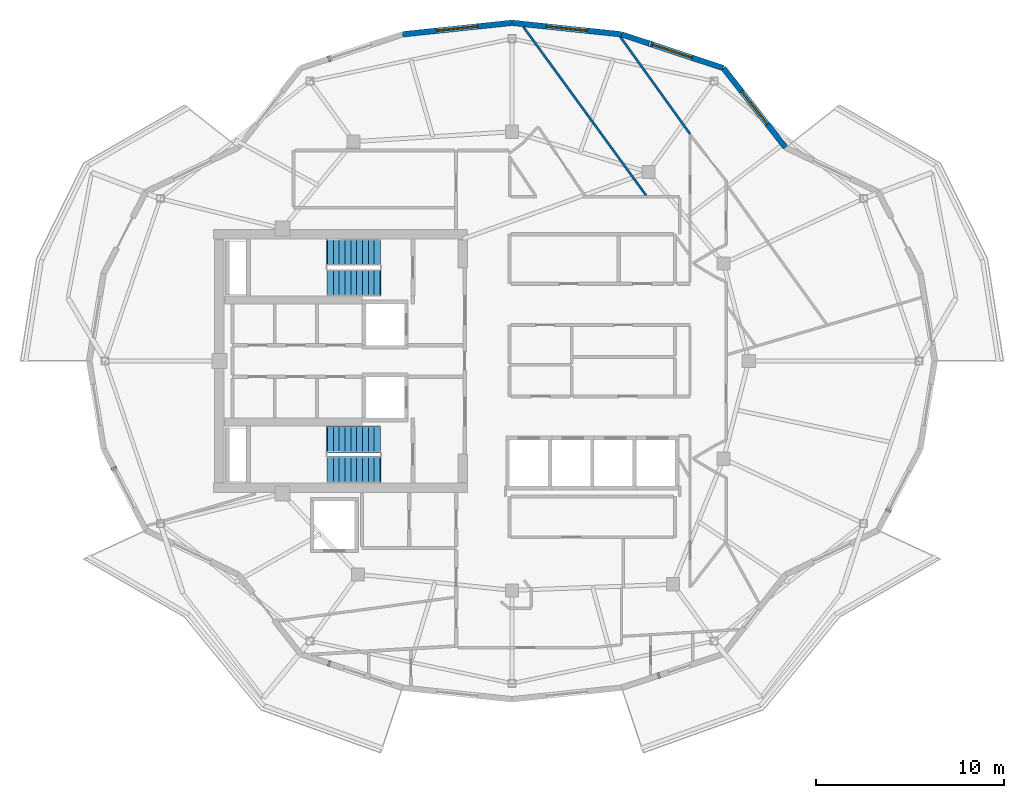
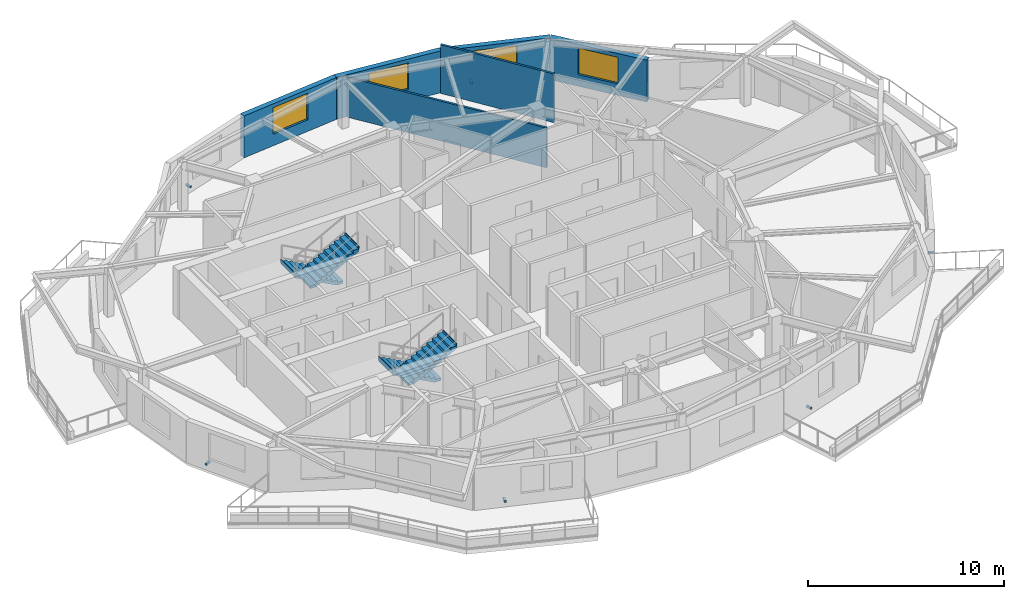
# One storey, part 8 of 11: 6 discrete accessories, 6 walls, 4 stair flights, 4 windows, 4 openings, 2 elements without a shape of their own.
"""IFC4 building model written with IfcOpenShell, lengths in metres."""

from ifc_helpers import new_model, si_unit, direction, frame, frame_2d, origin, origin_2d, place, context, subcontext, project, spatial, polyline, rectangle, outline, extrude, material, layer, layer_set, type_object, element, fill, aggregate, save


model = new_model("IFC4")

# Units and contexts
model_context = context("Model", 3, precision=1e-05, world=origin(), true_north=direction((0.0, 1.0)))
body_context = subcontext(model_context, "Body", "Model", "MODEL_VIEW")
ifc_project = project(units=[si_unit("LENGTHUNIT", "METRE"), si_unit("AREAUNIT", "SQUARE_METRE"), si_unit("VOLUMEUNIT", "CUBIC_METRE"), si_unit("PLANEANGLEUNIT", "RADIAN"), si_unit("MASSUNIT", "GRAM", prefix="KILO")], contexts=[model_context])

# Site, building, storey
site_placement = place(None, origin())
site = spatial("IfcSite", under=ifc_project, at=site_placement, CompositionType="ELEMENT")
building_placement = place(site_placement, origin())
building = spatial("IfcBuilding", under=site, at=building_placement, Name="Kolvaren Gate Tower and Convention Centre", CompositionType="ELEMENT")
storey_placement = place(building_placement, frame((0.0, 0.0, 242.60009765625)))
storey = spatial("IfcBuildingStorey", under=building, at=storey_placement, Name="L65", CompositionType="ELEMENT", Elevation=242.60009765625)

# Walls
ifc_material_1 = material(Name="Fire-Rated Acoustic Gypsum Stud Partition", Category="gypsum")
ifc_layer_1 = layer(ifc_material_1, 0.1201171875)
ifc_layer_set_1 = layer_set([ifc_layer_1], Name="Fire-Rated Acoustic Gypsum Stud Partition")
wall_type_1 = type_object("IfcWallType", Name="ARCH-WL-PART-120", PredefinedType="PARTITIONING", material=ifc_layer_set_1)
wall_1_placement = place(storey_placement, frame((30.72998046875, 44.783447265625, 0.0), z_axis=(0.0, 0.0, 1.0), x_axis=(0.588659483045, -0.808381106299, 0.0)))
element("IfcWall", 1, at=wall_1_placement, inside=storey, type_object=wall_type_1, Name="Interior Partition WL-L65-INT-081", PredefinedType="PARTITIONING", context=body_context, shape_type="SweptSolid", body=[
    extrude(rectangle(XDim=11.09814453125, YDim=0.1201171875, at=frame_2d((5.549072265625, 0.0))), origin(), (0.0, 0.0, 1.0), 2.477783203125),
])
wall_2_placement = place(storey_placement, frame((35.89599609375, 44.239501953125, 0.0), z_axis=(0.0, 0.0, 1.0), x_axis=(0.583414962814, -0.812174230793, 0.0)))
element("IfcWall", 2, at=wall_2_placement, inside=storey, type_object=wall_type_1, Name="Interior Partition WL-L65-INT-084", PredefinedType="PARTITIONING", context=body_context, shape_type="SweptSolid", body=[
    extrude(rectangle(XDim=6.34912109375, YDim=0.1201171875, at=frame_2d((3.174560546875, 0.0))), origin(), (0.0, 0.0, 1.0), 3.02978515625),
])

# Wall, opening, window
ifc_material_2 = material(Name="Piedmont Cream Honed Limestone Cladding", Category="masonry")
ifc_layer_2 = layer(ifc_material_2, 0.300048828125)
ifc_layer_set_2 = layer_set([ifc_layer_2], Name="Piedmont Cream Honed Limestone Cladding")
wall_type_2 = type_object("IfcWallType", Name="ARCH-WL-STONE-300", PredefinedType="SOLIDWALL", material=ifc_layer_set_2)
wall_3_placement = place(storey_placement, frame((41.375, 42.58837890625, 0.0), z_axis=(0.0, 0.0, 1.0), x_axis=(0.61644588519, -0.787397276241, 0.0)))
wall_3 = element("IfcWall", 3, at=wall_3_placement, inside=storey, type_object=wall_type_2, Name="Tower L65 Honed Stone Spandrel Wall EW-03", PredefinedType="SOLIDWALL", context=body_context, shape_type="SweptSolid", body=[
    extrude(rectangle(XDim=5.35693359375, YDim=0.300048828125, at=frame_2d((2.678466796875, 0.0))), origin(), (0.0, 0.0, 1.0), 2.60498046875),
])
opening_1_placement = place(wall_3_placement, frame((1.5791015625, 0.0, 0.719970703125)))
opening_1 = element("IfcOpeningElement", 4, at=opening_1_placement, cuts=wall_3, Name="Opening W-03", PredefinedType="OPENING", context=body_context, shape_type="SweptSolid", body=[
    extrude(rectangle(XDim=2.199951171875, YDim=1.64990234375, at=frame_2d((1.10009765625, 0.824951171875))), frame((0.0, 0.159912109375, 0.0), z_axis=(0.0, -1.0, 0.0), x_axis=(1.0, 0.0, 0.0)), (0.0, 0.0, 1.0), 0.320068359375),
])
ifc_material_3 = material(Name="Low-E Triple Insulated Glazing Unit 44 mm", Category="glass")
window_type = type_object("IfcWindowType", Name="ARCH-WN-RES-2200", PartitioningType="SINGLE_PANEL", PredefinedType="WINDOW", material=ifc_material_3)
window_1_placement = place(opening_1_placement, origin())
window_1 = element("IfcWindow", 5, at=window_1_placement, inside=storey, type_object=window_type, Name="Tower L65 Punched Stone Facade Window W-03", OverallHeight=1.64990234375, OverallWidth=2.199951171875, PartitioningType="SINGLE_PANEL", PredefinedType="WINDOW", context=body_context, shape_type="SweptSolid", body=[
    extrude(rectangle(XDim=2.199951171875, YDim=1.64990234375, at=frame_2d((1.10009765625, 0.824951171875))), frame((0.0, 0.030029296875, 0.0), z_axis=(0.0, -1.0, 0.0), x_axis=(1.0, 0.0, 0.0)), (0.0, 0.0, 1.0), 0.06005859375),
])
fill(opening_1, window_1)

wall_4_placement = place(storey_placement, frame((35.948486328125, 44.38671875, 0.0), z_axis=(0.0, 0.0, 1.0), x_axis=(0.949232769585, -0.314574552605, 0.0)))
wall_4 = element("IfcWall", 6, at=wall_4_placement, inside=storey, type_object=wall_type_2, Name="Tower L65 Honed Stone Spandrel Wall EW-04", PredefinedType="SOLIDWALL", context=body_context, shape_type="SweptSolid", body=[
    extrude(rectangle(XDim=5.716796875, YDim=0.300048828125, at=frame_2d((2.8583984375, 0.0))), origin(), (0.0, 0.0, 1.0), 2.60498046875),
])
opening_2_placement = place(wall_4_placement, frame((1.758056640625, 0.0, 0.719970703125)))
opening_2 = element("IfcOpeningElement", 7, at=opening_2_placement, cuts=wall_4, Name="Opening W-03", PredefinedType="OPENING", context=body_context, shape_type="SweptSolid", body=[
    extrude(rectangle(XDim=2.199951171875, YDim=1.64990234375, at=frame_2d((1.10009765625, 0.824951171875))), frame((0.0, 0.159912109375, 0.0), z_axis=(0.0, -1.0, 0.0), x_axis=(1.0, 0.0, 0.0)), (0.0, 0.0, 1.0), 0.320068359375),
])
window_2_placement = place(opening_2_placement, origin())
window_2 = element("IfcWindow", 8, at=window_2_placement, inside=storey, type_object=window_type, Name="Tower L65 Punched Stone Facade Window W-04", OverallHeight=1.64990234375, OverallWidth=2.199951171875, PartitioningType="SINGLE_PANEL", PredefinedType="WINDOW", context=body_context, shape_type="SweptSolid", body=[
    extrude(rectangle(XDim=2.199951171875, YDim=1.64990234375, at=frame_2d((1.10009765625, 0.824951171875))), frame((0.0, 0.030029296875, 0.0), z_axis=(0.0, -1.0, 0.0), x_axis=(1.0, 0.0, 0.0)), (0.0, 0.0, 1.0), 0.06005859375),
])
fill(opening_2, window_2)

wall_5_placement = place(storey_placement, frame((30.125, 45.0, 0.0), z_axis=(0.0, 0.0, 1.0), x_axis=(0.994500425783, -0.10473253132, 0.0)))
wall_5 = element("IfcWall", 9, at=wall_5_placement, inside=storey, type_object=wall_type_2, Name="Tower L65 Honed Stone Spandrel Wall EW-05", PredefinedType="SOLIDWALL", context=body_context, shape_type="SweptSolid", body=[
    extrude(rectangle(XDim=5.855712890625, YDim=0.300048828125, at=frame_2d((2.927734375, 0.0))), origin(), (0.0, 0.0, 1.0), 2.60498046875),
])
opening_3_placement = place(wall_5_placement, frame((1.827880859375, 0.0, 0.719970703125)))
opening_3 = element("IfcOpeningElement", 10, at=opening_3_placement, cuts=wall_5, Name="Opening W-03", PredefinedType="OPENING", context=body_context, shape_type="SweptSolid", body=[
    extrude(rectangle(XDim=2.199951171875, YDim=1.64990234375, at=frame_2d((1.10009765625, 0.824951171875))), frame((0.0, 0.159912109375, 0.0), z_axis=(0.0, -1.0, 0.0), x_axis=(1.0, 0.0, 0.0)), (0.0, 0.0, 1.0), 0.320068359375),
])
window_3_placement = place(opening_3_placement, origin())
window_3 = element("IfcWindow", 11, at=window_3_placement, inside=storey, type_object=window_type, Name="Tower L65 Punched Stone Facade Window W-05", OverallHeight=1.64990234375, OverallWidth=2.199951171875, PartitioningType="SINGLE_PANEL", PredefinedType="WINDOW", context=body_context, shape_type="SweptSolid", body=[
    extrude(rectangle(XDim=2.199951171875, YDim=1.64990234375, at=frame_2d((1.10009765625, 0.824951171875))), frame((0.0, 0.030029296875, 0.0), z_axis=(0.0, -1.0, 0.0), x_axis=(1.0, 0.0, 0.0)), (0.0, 0.0, 1.0), 0.06005859375),
])
fill(opening_3, window_3)

wall_6_placement = place(storey_placement, frame((24.301513671875, 44.38671875, 0.0), z_axis=(0.0, 0.0, 1.0), x_axis=(0.994500425783, 0.10473253132, 0.0)))
wall_6 = element("IfcWall", 12, at=wall_6_placement, inside=storey, type_object=wall_type_2, Name="Tower L65 Honed Stone Spandrel Wall EW-06", PredefinedType="SOLIDWALL", context=body_context, shape_type="SweptSolid", body=[
    extrude(rectangle(XDim=5.855712890625, YDim=0.300048828125, at=frame_2d((2.927734375, 0.0))), origin(), (0.0, 0.0, 1.0), 2.60498046875),
])
opening_4_placement = place(wall_6_placement, frame((1.827880859375, 0.0, 0.719970703125)))
opening_4 = element("IfcOpeningElement", 13, at=opening_4_placement, cuts=wall_6, Name="Opening W-03", PredefinedType="OPENING", context=body_context, shape_type="SweptSolid", body=[
    extrude(rectangle(XDim=2.199951171875, YDim=1.64990234375, at=frame_2d((1.10009765625, 0.824951171875))), frame((0.0, 0.159912109375, 0.0), z_axis=(0.0, -1.0, 0.0), x_axis=(1.0, 0.0, 0.0)), (0.0, 0.0, 1.0), 0.320068359375),
])
window_4_placement = place(opening_4_placement, origin())
window_4 = element("IfcWindow", 14, at=window_4_placement, inside=storey, type_object=window_type, Name="Tower L65 Punched Stone Facade Window W-06", OverallHeight=1.64990234375, OverallWidth=2.199951171875, PartitioningType="SINGLE_PANEL", PredefinedType="WINDOW", context=body_context, shape_type="SweptSolid", body=[
    extrude(rectangle(XDim=2.199951171875, YDim=1.64990234375, at=frame_2d((1.10009765625, 0.824951171875))), frame((0.0, 0.030029296875, 0.0), z_axis=(0.0, -1.0, 0.0), x_axis=(1.0, 0.0, 0.0)), (0.0, 0.0, 1.0), 0.06005859375),
])
fill(opening_4, window_4)

# Stair, stair flights
ifc_material_4 = material(Name="Concrete C50/60", Category="concrete")
stair_type = type_object("IfcStairType", Name="STR-STAIR-CORE", PredefinedType="HALF_TURN_STAIR", material=ifc_material_4)
stair_1_placement = place(storey_placement, origin())
stair_1 = element("IfcStair", 15, at=stair_1_placement, inside=storey, type_object=stair_type, Name="L65 Tower North Exit Stair ST-T1", PredefinedType="HALF_TURN_STAIR")
stair_flight_type = type_object("IfcStairFlightType", Name="STR-SFL-1420", PredefinedType="STRAIGHT", material=ifc_material_4)
stair_flight_1_placement = place(storey_placement, frame((23.10009765625, 32.7900390625, 0.0), z_axis=(0.0, 0.0, 1.0), x_axis=(-1.0, 0.0, 0.0)))
stair_flight_1 = element("IfcStairFlight", 16, at=stair_flight_1_placement, type_object=stair_flight_type, Name="ST-T1 flight 1", NumberOfRisers=10, NumberOfTreads=9, PredefinedType="STRAIGHT", RiserHeight=0.165, TreadLength=0.31, context=body_context, shape_type="SweptSolid", body=[
    extrude(outline(polyline([(-0.034912109375, 0.0), (-0.034912109375, 0.1650390625), (0.31005859375, 0.1650390625), (0.31005859375, 0.330078125), (0.6201171875, 0.330078125), (0.6201171875, 0.4951171875), (0.929931640625, 0.4951171875), (0.929931640625, 0.659912109375), (1.239990234375, 0.659912109375), (1.239990234375, 0.824951171875), (1.550048828125, 0.824951171875), (1.550048828125, 0.989990234375), (1.860107421875, 0.989990234375), (1.860107421875, 1.155029296875), (2.169921875, 1.155029296875), (2.169921875, 1.320068359375), (2.47998046875, 1.320068359375), (2.47998046875, 1.485107421875), (2.7900390625, 1.485107421875), (2.7900390625, 1.64990234375), (2.8349609375, 1.64990234375), (2.8349609375, 1.489990234375), (2.7900390625, 1.315185546875), (0.319091796875, 0.0), (-0.034912109375, 0.0)])), frame((0.0, 0.7099609375, 0.0), z_axis=(0.0, -1.0, 0.0), x_axis=(1.0, 0.0, 0.0)), (0.0, 0.0, 1.0), 1.419921875),
])
stair_flight_2_placement = place(storey_placement, frame((20.31005859375, 31.169921875, 1.64990234375), z_axis=(0.0, 0.0, 1.0), x_axis=(1.0, 0.0, 0.0)))
stair_flight_2 = element("IfcStairFlight", 17, at=stair_flight_2_placement, type_object=stair_flight_type, Name="ST-T1 flight 2", NumberOfRisers=10, NumberOfTreads=9, PredefinedType="STRAIGHT", RiserHeight=0.165, TreadLength=0.31, context=body_context, shape_type="SweptSolid", body=[
    extrude(outline(polyline([(-0.034912109375, 0.0), (-0.034912109375, 0.1650390625), (0.31005859375, 0.1650390625), (0.31005859375, 0.330078125), (0.6201171875, 0.330078125), (0.6201171875, 0.4951171875), (0.929931640625, 0.4951171875), (0.929931640625, 0.659912109375), (1.239990234375, 0.659912109375), (1.239990234375, 0.824951171875), (1.550048828125, 0.824951171875), (1.550048828125, 0.989990234375), (1.860107421875, 0.989990234375), (1.860107421875, 1.155029296875), (2.169921875, 1.155029296875), (2.169921875, 1.320068359375), (2.47998046875, 1.320068359375), (2.47998046875, 1.485107421875), (2.7900390625, 1.485107421875), (2.7900390625, 1.64990234375), (2.8349609375, 1.64990234375), (2.8349609375, 1.489990234375), (2.7900390625, 1.315185546875), (0.319091796875, 0.0), (-0.034912109375, 0.0)])), frame((0.0, 0.7099609375, 0.0), z_axis=(0.0, -1.0, 0.0), x_axis=(1.0, 0.0, 0.0)), (0.0, 0.0, 1.0), 1.419921875),
])
aggregate(stair_1, [stair_flight_1, stair_flight_2])

stair_2_placement = place(storey_placement, origin())
stair_2 = element("IfcStair", 18, at=stair_2_placement, inside=storey, type_object=stair_type, Name="L65 Tower South Exit Stair ST-T2", PredefinedType="HALF_TURN_STAIR")
stair_flight_3_placement = place(storey_placement, frame((23.10009765625, 22.830078125, 0.0), z_axis=(0.0, 0.0, 1.0), x_axis=(-1.0, 0.0, 0.0)))
stair_flight_3 = element("IfcStairFlight", 19, at=stair_flight_3_placement, type_object=stair_flight_type, Name="ST-T2 flight 1", NumberOfRisers=10, NumberOfTreads=9, PredefinedType="STRAIGHT", RiserHeight=0.165, TreadLength=0.31, context=body_context, shape_type="SweptSolid", body=[
    extrude(outline(polyline([(-0.034912109375, 0.0), (-0.034912109375, 0.1650390625), (0.31005859375, 0.1650390625), (0.31005859375, 0.330078125), (0.6201171875, 0.330078125), (0.6201171875, 0.4951171875), (0.929931640625, 0.4951171875), (0.929931640625, 0.659912109375), (1.239990234375, 0.659912109375), (1.239990234375, 0.824951171875), (1.550048828125, 0.824951171875), (1.550048828125, 0.989990234375), (1.860107421875, 0.989990234375), (1.860107421875, 1.155029296875), (2.169921875, 1.155029296875), (2.169921875, 1.320068359375), (2.47998046875, 1.320068359375), (2.47998046875, 1.485107421875), (2.7900390625, 1.485107421875), (2.7900390625, 1.64990234375), (2.8349609375, 1.64990234375), (2.8349609375, 1.489990234375), (2.7900390625, 1.315185546875), (0.319091796875, 0.0), (-0.034912109375, 0.0)])), frame((0.0, 0.7099609375, 0.0), z_axis=(0.0, -1.0, 0.0), x_axis=(1.0, 0.0, 0.0)), (0.0, 0.0, 1.0), 1.419921875),
])
stair_flight_4_placement = place(storey_placement, frame((20.31005859375, 21.2099609375, 1.64990234375), z_axis=(0.0, 0.0, 1.0), x_axis=(1.0, 0.0, 0.0)))
stair_flight_4 = element("IfcStairFlight", 20, at=stair_flight_4_placement, type_object=stair_flight_type, Name="ST-T2 flight 2", NumberOfRisers=10, NumberOfTreads=9, PredefinedType="STRAIGHT", RiserHeight=0.165, TreadLength=0.31, context=body_context, shape_type="SweptSolid", body=[
    extrude(outline(polyline([(-0.034912109375, 0.0), (-0.034912109375, 0.1650390625), (0.31005859375, 0.1650390625), (0.31005859375, 0.330078125), (0.6201171875, 0.330078125), (0.6201171875, 0.4951171875), (0.929931640625, 0.4951171875), (0.929931640625, 0.659912109375), (1.239990234375, 0.659912109375), (1.239990234375, 0.824951171875), (1.550048828125, 0.824951171875), (1.550048828125, 0.989990234375), (1.860107421875, 0.989990234375), (1.860107421875, 1.155029296875), (2.169921875, 1.155029296875), (2.169921875, 1.320068359375), (2.47998046875, 1.320068359375), (2.47998046875, 1.485107421875), (2.7900390625, 1.485107421875), (2.7900390625, 1.64990234375), (2.8349609375, 1.64990234375), (2.8349609375, 1.489990234375), (2.7900390625, 1.315185546875), (0.319091796875, 0.0), (-0.034912109375, 0.0)])), frame((0.0, 0.7099609375, 0.0), z_axis=(0.0, -1.0, 0.0), x_axis=(1.0, 0.0, 0.0)), (0.0, 0.0, 1.0), 1.419921875),
])
aggregate(stair_2, [stair_flight_3, stair_flight_4])

# Discrete accessories
ifc_material_5 = material(Name="Anodized Architectural Aluminium Alloy 6063-T6", Category="aluminium")
discrete_accessory_type = type_object("IfcDiscreteAccessoryType", Name="ARCH-ACC-BRACKET-120", PredefinedType="BRACKET", material=ifc_material_5)
for number, where, z_axis, x_axis, name in (
    (21, (37.46533203125, 43.884033203125, 0.289794921875), (0.0, 0.0, 1.0), (0.949241728595, -0.314547517385, 0.0), "Ceramic Fin Wall Anchor Bracket FBK-L65-04"),
    (22, (20.391845703125, 43.091064453125, 0.289794921875), (0.0, 0.0, 1.0), (0.949241728595, 0.314547517385, 0.0), "Ceramic Fin Wall Anchor Bracket FBK-L65-07"),
    (23, (8.93603515625, 21.289794921875, 0.289794921875), (0.0, 0.0, 1.0), (0.459778260738, -0.888033755525, 0.0), "Ceramic Fin Wall Anchor Bracket FBK-L65-13"),
    (24, (20.391845703125, 10.908935546875, 0.289794921875), (0.0, 0.0, 1.0), (0.949241728595, -0.314547517385, 0.0), "Ceramic Fin Wall Anchor Bracket FBK-L65-16"),
    (25, (37.932373046875, 10.270751953125, 0.289794921875), (0.0, 0.0, 1.0), (0.949241728595, 0.314547517385, 0.0), "Ceramic Fin Wall Anchor Bracket FBK-L65-19"),
    (26, (50.155029296875, 19.051513671875, 0.289794921875), (0.0, 0.0, 1.0), (0.459778260738, 0.888033755525, 0.0), "Ceramic Fin Wall Anchor Bracket FBK-L65-22"),
):
    element("IfcDiscreteAccessory", number, at=place(storey_placement, frame(where, z_axis=z_axis, x_axis=x_axis)), inside=storey, type_object=discrete_accessory_type, Name=name, PredefinedType="BRACKET", context=body_context, shape_type="SweptSolid", body=[
        extrude(rectangle(XDim=0.1201171875, YDim=0.320068359375, at=origin_2d()), origin(), (0.0, 0.0, 1.0), 0.1201171875),
    ])

save(model, "model.ifc")
